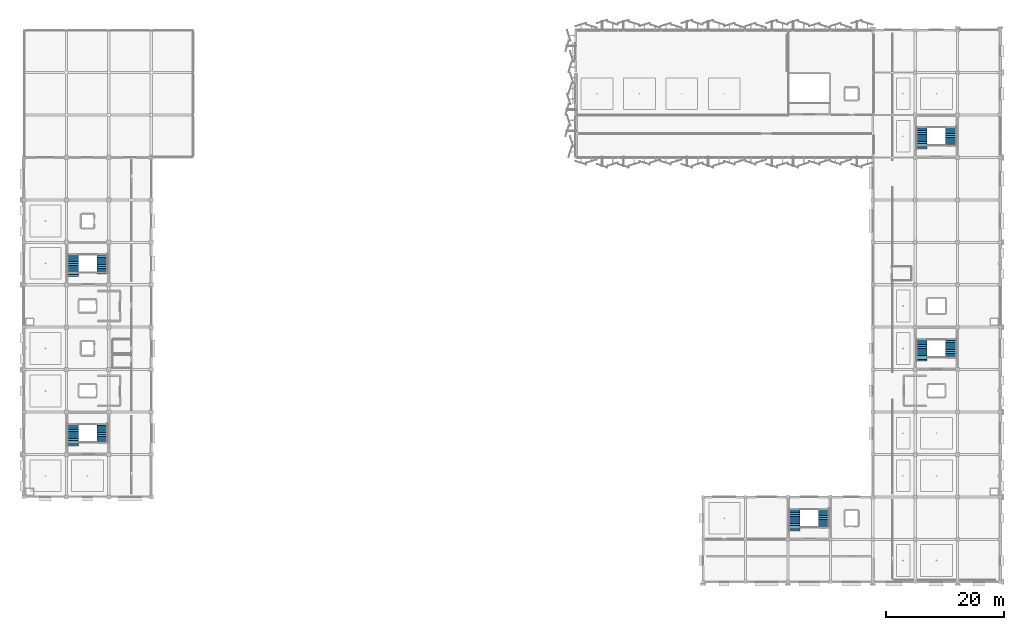
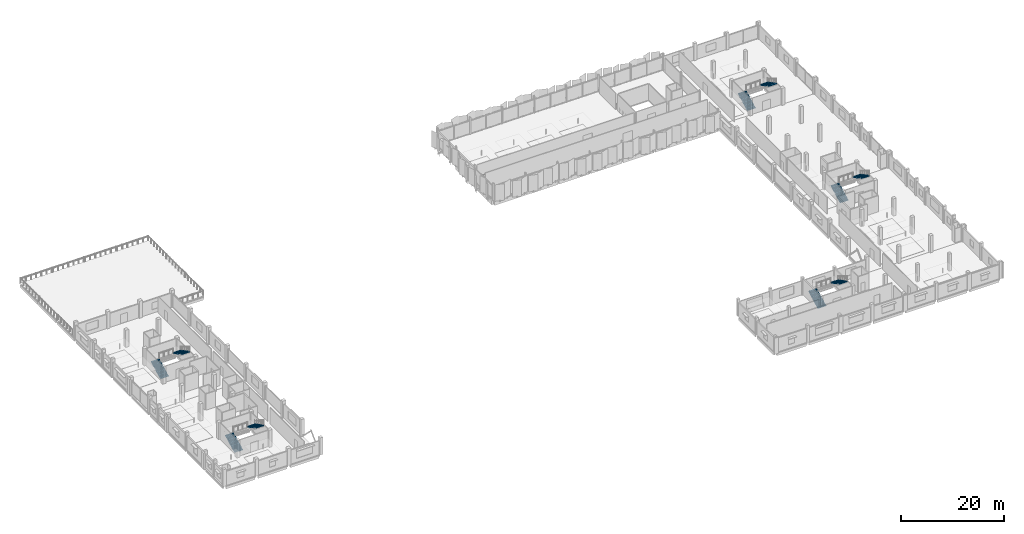
# One storey, part 60 of 77: 10 stair flights, 5 elements without a shape of their own.
"""IFC4 building model written with IfcOpenShell, lengths in metres."""

from ifc_helpers import new_model, si_unit, direction, frame, origin, place, context, subcontext, project, spatial, polyline, outline, extrude, material, type_object, element, aggregate, save


model = new_model("IFC4")

# Units and contexts
model_context = context("Model", 3, precision=1e-05, world=origin(), true_north=direction((0.0, 1.0)))
body_context = subcontext(model_context, "Body", "Model", "MODEL_VIEW")
ifc_project = project(units=[si_unit("LENGTHUNIT", "METRE"), si_unit("AREAUNIT", "SQUARE_METRE"), si_unit("VOLUMEUNIT", "CUBIC_METRE"), si_unit("PLANEANGLEUNIT", "RADIAN"), si_unit("MASSUNIT", "GRAM", prefix="KILO")], contexts=[model_context])

# Site, building, storey
site_placement = place(None, origin())
site = spatial("IfcSite", under=ifc_project, at=site_placement, CompositionType="ELEMENT")
building_placement = place(site_placement, origin())
building = spatial("IfcBuilding", under=site, at=building_placement, Name="Kangsadwip Square Police Headquarters", CompositionType="ELEMENT")
storey_placement = place(building_placement, frame((0.0, 0.0, 17.550048828125)))
storey = spatial("IfcBuildingStorey", under=building, at=storey_placement, Name="L04", CompositionType="ELEMENT", Elevation=17.550048828125)

# Stair, stair flight
ifc_material_1 = material(Name="Concrete M35 (35 MPa)", Category="concrete")
stair_type = type_object("IfcStairType", Name="Stair2FlightTypW1850", PredefinedType="HALF_TURN_STAIR", material=ifc_material_1)
stair_1_placement = place(storey_placement, origin())
stair_1 = element("IfcStair", 1, at=stair_1_placement, inside=storey, type_object=stair_type, Name="Protected Stair ST-01 L04", PredefinedType="HALF_TURN_STAIR")
ifc_material_2 = material(Name="Concrete M35 (35 MPa)", Category="concrete")
stair_flight_type_1 = type_object("IfcStairFlightType", Name="Flight12RTypW1850", PredefinedType="STRAIGHT", material=ifc_material_2)
stair_flight_1_placement = place(storey_placement, frame((13.294921875, 48.4599609375, 2.10595703125), z_axis=(0.0, 0.0, 1.0), x_axis=(0.0, -1.0, 0.0)))
stair_flight_1 = element("IfcStairFlight", 2, at=stair_flight_1_placement, type_object=stair_flight_type_1, Name="ST-01 flight 2", NumberOfRisers=12, NumberOfTreads=11, PredefinedType="STRAIGHT", RiserHeight=0.162, TreadLength=0.31, context=body_context, shape_type="SweptSolid", body=[
    extrude(outline(polyline([(0.0, 0.0), (0.0, 0.162109375), (0.31005859375, 0.162109375), (0.31005859375, 0.323974609375), (0.6201171875, 0.323974609375), (0.6201171875, 0.486083984375), (0.929931640625, 0.486083984375), (0.929931640625, 0.64794921875), (1.239990234375, 0.64794921875), (1.239990234375, 0.81005859375), (1.550048828125, 0.81005859375), (1.550048828125, 0.971923828125), (1.860107421875, 0.971923828125), (1.860107421875, 1.134033203125), (2.169921875, 1.134033203125), (2.169921875, 1.2958984375), (2.47998046875, 1.2958984375), (2.47998046875, 1.4580078125), (2.7900390625, 1.4580078125), (2.7900390625, 1.6201171875), (3.10009765625, 1.6201171875), (3.10009765625, 1.781982421875), (3.409912109375, 1.781982421875), (3.409912109375, 1.944091796875), (3.409912109375, 1.6015625), (0.34521484375, 0.0), (0.0, 0.0)])), frame((0.0, 0.925048828125, 0.0), z_axis=(0.0, -1.0, 0.0), x_axis=(1.0, 0.0, 0.0)), (0.0, 0.0, 1.0), 1.85009765625),
])

stair_2_placement = place(storey_placement, origin())
stair_2 = element("IfcStair", 3, at=stair_2_placement, inside=storey, type_object=stair_type, Name="Protected Stair ST-02 L04", PredefinedType="HALF_TURN_STAIR")
stair_flight_2_placement = place(storey_placement, frame((13.294921875, 77.260009765625, 2.10595703125), z_axis=(0.0, 0.0, 1.0), x_axis=(0.0, -1.0, 0.0)))
stair_flight_2 = element("IfcStairFlight", 4, at=stair_flight_2_placement, type_object=stair_flight_type_1, Name="ST-02 flight 2", NumberOfRisers=12, NumberOfTreads=11, PredefinedType="STRAIGHT", RiserHeight=0.162, TreadLength=0.31, context=body_context, shape_type="SweptSolid", body=[
    extrude(outline(polyline([(0.0, 0.0), (0.0, 0.162109375), (0.31005859375, 0.162109375), (0.31005859375, 0.323974609375), (0.6201171875, 0.323974609375), (0.6201171875, 0.486083984375), (0.929931640625, 0.486083984375), (0.929931640625, 0.64794921875), (1.239990234375, 0.64794921875), (1.239990234375, 0.81005859375), (1.550048828125, 0.81005859375), (1.550048828125, 0.971923828125), (1.860107421875, 0.971923828125), (1.860107421875, 1.134033203125), (2.169921875, 1.134033203125), (2.169921875, 1.2958984375), (2.47998046875, 1.2958984375), (2.47998046875, 1.4580078125), (2.7900390625, 1.4580078125), (2.7900390625, 1.6201171875), (3.10009765625, 1.6201171875), (3.10009765625, 1.781982421875), (3.409912109375, 1.781982421875), (3.409912109375, 1.944091796875), (3.409912109375, 1.6015625), (0.34521484375, 0.0), (0.0, 0.0)])), frame((0.0, 0.925048828125, 0.0), z_axis=(0.0, -1.0, 0.0), x_axis=(1.0, 0.0, 0.0)), (0.0, 0.0, 1.0), 1.85009765625),
])

stair_3_placement = place(storey_placement, origin())
stair_3 = element("IfcStair", 5, at=stair_3_placement, inside=storey, type_object=stair_type, Name="Protected Stair ST-03 L04", PredefinedType="HALF_TURN_STAIR")
stair_flight_3_placement = place(storey_placement, frame((157.294921875, 62.860107421875, 2.10595703125), z_axis=(0.0, 0.0, 1.0), x_axis=(0.0, -1.0, 0.0)))
stair_flight_3 = element("IfcStairFlight", 6, at=stair_flight_3_placement, type_object=stair_flight_type_1, Name="ST-03 flight 2", NumberOfRisers=12, NumberOfTreads=11, PredefinedType="STRAIGHT", RiserHeight=0.162, TreadLength=0.31, context=body_context, shape_type="SweptSolid", body=[
    extrude(outline(polyline([(0.0, 0.0), (0.0, 0.162109375), (0.31005859375, 0.162109375), (0.31005859375, 0.323974609375), (0.6201171875, 0.323974609375), (0.6201171875, 0.486083984375), (0.929931640625, 0.486083984375), (0.929931640625, 0.64794921875), (1.239990234375, 0.64794921875), (1.239990234375, 0.81005859375), (1.550048828125, 0.81005859375), (1.550048828125, 0.971923828125), (1.860107421875, 0.971923828125), (1.860107421875, 1.134033203125), (2.169921875, 1.134033203125), (2.169921875, 1.2958984375), (2.47998046875, 1.2958984375), (2.47998046875, 1.4580078125), (2.7900390625, 1.4580078125), (2.7900390625, 1.6201171875), (3.10009765625, 1.6201171875), (3.10009765625, 1.781982421875), (3.409912109375, 1.781982421875), (3.409912109375, 1.944091796875), (3.409912109375, 1.6015625), (0.34521484375, 0.0), (0.0, 0.0)])), frame((0.0, 0.925048828125, 0.0), z_axis=(0.0, -1.0, 0.0), x_axis=(1.0, 0.0, 0.0)), (0.0, 0.0, 1.0), 1.85009765625),
])

stair_4_placement = place(storey_placement, origin())
stair_4 = element("IfcStair", 7, at=stair_4_placement, inside=storey, type_object=stair_type, Name="Protected Stair ST-04 L04", PredefinedType="HALF_TURN_STAIR")
stair_flight_4_placement = place(storey_placement, frame((157.294921875, 98.860107421875, 2.10595703125), z_axis=(0.0, 0.0, 1.0), x_axis=(0.0, -1.0, 0.0)))
stair_flight_4 = element("IfcStairFlight", 8, at=stair_flight_4_placement, type_object=stair_flight_type_1, Name="ST-04 flight 2", NumberOfRisers=12, NumberOfTreads=11, PredefinedType="STRAIGHT", RiserHeight=0.162, TreadLength=0.31, context=body_context, shape_type="SweptSolid", body=[
    extrude(outline(polyline([(0.0, 0.0), (0.0, 0.162109375), (0.31005859375, 0.162109375), (0.31005859375, 0.323974609375), (0.6201171875, 0.323974609375), (0.6201171875, 0.486083984375), (0.929931640625, 0.486083984375), (0.929931640625, 0.64794921875), (1.239990234375, 0.64794921875), (1.239990234375, 0.81005859375), (1.550048828125, 0.81005859375), (1.550048828125, 0.971923828125), (1.860107421875, 0.971923828125), (1.860107421875, 1.134033203125), (2.169921875, 1.134033203125), (2.169921875, 1.2958984375), (2.47998046875, 1.2958984375), (2.47998046875, 1.4580078125), (2.7900390625, 1.4580078125), (2.7900390625, 1.6201171875), (3.10009765625, 1.6201171875), (3.10009765625, 1.781982421875), (3.409912109375, 1.781982421875), (3.409912109375, 1.944091796875), (3.409912109375, 1.6015625), (0.34521484375, 0.0), (0.0, 0.0)])), frame((0.0, 0.925048828125, 0.0), z_axis=(0.0, -1.0, 0.0), x_axis=(1.0, 0.0, 0.0)), (0.0, 0.0, 1.0), 1.85009765625),
])

stair_5_placement = place(storey_placement, origin())
stair_5 = element("IfcStair", 9, at=stair_5_placement, inside=storey, type_object=stair_type, Name="Protected Stair ST-06 L04", PredefinedType="HALF_TURN_STAIR")
stair_flight_5_placement = place(storey_placement, frame((135.695068359375, 34.06005859375, 2.10595703125), z_axis=(0.0, 0.0, 1.0), x_axis=(0.0, -1.0, 0.0)))
stair_flight_5 = element("IfcStairFlight", 10, at=stair_flight_5_placement, type_object=stair_flight_type_1, Name="ST-06 flight 2", NumberOfRisers=12, NumberOfTreads=11, PredefinedType="STRAIGHT", RiserHeight=0.162, TreadLength=0.31, context=body_context, shape_type="SweptSolid", body=[
    extrude(outline(polyline([(0.0, 0.0), (0.0, 0.162109375), (0.31005859375, 0.162109375), (0.31005859375, 0.323974609375), (0.6201171875, 0.323974609375), (0.6201171875, 0.486083984375), (0.929931640625, 0.486083984375), (0.929931640625, 0.64794921875), (1.239990234375, 0.64794921875), (1.239990234375, 0.81005859375), (1.550048828125, 0.81005859375), (1.550048828125, 0.971923828125), (1.860107421875, 0.971923828125), (1.860107421875, 1.134033203125), (2.169921875, 1.134033203125), (2.169921875, 1.2958984375), (2.47998046875, 1.2958984375), (2.47998046875, 1.4580078125), (2.7900390625, 1.4580078125), (2.7900390625, 1.6201171875), (3.10009765625, 1.6201171875), (3.10009765625, 1.781982421875), (3.409912109375, 1.781982421875), (3.409912109375, 1.944091796875), (3.409912109375, 1.6015625), (0.34521484375, 0.0), (0.0, 0.0)])), frame((0.0, 0.925048828125, 0.0), z_axis=(0.0, -1.0, 0.0), x_axis=(1.0, 0.0, 0.0)), (0.0, 0.0, 1.0), 1.85009765625),
])

# Stair flight
ifc_material_3 = material(Name="Concrete M35 (35 MPa)", Category="concrete")
stair_flight_type_2 = type_object("IfcStairFlightType", Name="Flight13RTypW1850", PredefinedType="STRAIGHT", material=ifc_material_3)
stair_flight_6_placement = place(storey_placement, frame((8.304931640625, 44.639892578125, 0.0), z_axis=(0.0, 0.0, 1.0), x_axis=(0.0, 1.0, 0.0)))
stair_flight_6 = element("IfcStairFlight", 11, at=stair_flight_6_placement, type_object=stair_flight_type_2, Name="ST-01 flight 1", NumberOfRisers=13, NumberOfTreads=12, PredefinedType="STRAIGHT", RiserHeight=0.162, TreadLength=0.31, context=body_context, shape_type="SweptSolid", body=[
    extrude(outline(polyline([(0.0, 0.0), (0.0, 0.162109375), (0.31005859375, 0.162109375), (0.31005859375, 0.323974609375), (0.6201171875, 0.323974609375), (0.6201171875, 0.486083984375), (0.929931640625, 0.486083984375), (0.929931640625, 0.64794921875), (1.239990234375, 0.64794921875), (1.239990234375, 0.81005859375), (1.550048828125, 0.81005859375), (1.550048828125, 0.971923828125), (1.860107421875, 0.971923828125), (1.860107421875, 1.134033203125), (2.169921875, 1.134033203125), (2.169921875, 1.2958984375), (2.47998046875, 1.2958984375), (2.47998046875, 1.4580078125), (2.7900390625, 1.4580078125), (2.7900390625, 1.6201171875), (3.10009765625, 1.6201171875), (3.10009765625, 1.781982421875), (3.409912109375, 1.781982421875), (3.409912109375, 1.944091796875), (3.719970703125, 1.944091796875), (3.719970703125, 2.10595703125), (3.719970703125, 1.763671875), (0.34521484375, 0.0), (0.0, 0.0)])), frame((0.0, 0.925048828125, 0.0), z_axis=(0.0, -1.0, 0.0), x_axis=(1.0, 0.0, 0.0)), (0.0, 0.0, 1.0), 1.85009765625),
])

aggregate(stair_1, [stair_flight_6, stair_flight_1])

stair_flight_7_placement = place(storey_placement, frame((8.304931640625, 73.43994140625, 0.0), z_axis=(0.0, 0.0, 1.0), x_axis=(0.0, 1.0, 0.0)))
stair_flight_7 = element("IfcStairFlight", 12, at=stair_flight_7_placement, type_object=stair_flight_type_2, Name="ST-02 flight 1", NumberOfRisers=13, NumberOfTreads=12, PredefinedType="STRAIGHT", RiserHeight=0.162, TreadLength=0.31, context=body_context, shape_type="SweptSolid", body=[
    extrude(outline(polyline([(0.0, 0.0), (0.0, 0.162109375), (0.31005859375, 0.162109375), (0.31005859375, 0.323974609375), (0.6201171875, 0.323974609375), (0.6201171875, 0.486083984375), (0.929931640625, 0.486083984375), (0.929931640625, 0.64794921875), (1.239990234375, 0.64794921875), (1.239990234375, 0.81005859375), (1.550048828125, 0.81005859375), (1.550048828125, 0.971923828125), (1.860107421875, 0.971923828125), (1.860107421875, 1.134033203125), (2.169921875, 1.134033203125), (2.169921875, 1.2958984375), (2.47998046875, 1.2958984375), (2.47998046875, 1.4580078125), (2.7900390625, 1.4580078125), (2.7900390625, 1.6201171875), (3.10009765625, 1.6201171875), (3.10009765625, 1.781982421875), (3.409912109375, 1.781982421875), (3.409912109375, 1.944091796875), (3.719970703125, 1.944091796875), (3.719970703125, 2.10595703125), (3.719970703125, 1.763671875), (0.34521484375, 0.0), (0.0, 0.0)])), frame((0.0, 0.925048828125, 0.0), z_axis=(0.0, -1.0, 0.0), x_axis=(1.0, 0.0, 0.0)), (0.0, 0.0, 1.0), 1.85009765625),
])

aggregate(stair_2, [stair_flight_7, stair_flight_2])

stair_flight_8_placement = place(storey_placement, frame((152.304931640625, 59.0400390625, 0.0), z_axis=(0.0, 0.0, 1.0), x_axis=(0.0, 1.0, 0.0)))
stair_flight_8 = element("IfcStairFlight", 13, at=stair_flight_8_placement, type_object=stair_flight_type_2, Name="ST-03 flight 1", NumberOfRisers=13, NumberOfTreads=12, PredefinedType="STRAIGHT", RiserHeight=0.162, TreadLength=0.31, context=body_context, shape_type="SweptSolid", body=[
    extrude(outline(polyline([(0.0, 0.0), (0.0, 0.162109375), (0.31005859375, 0.162109375), (0.31005859375, 0.323974609375), (0.6201171875, 0.323974609375), (0.6201171875, 0.486083984375), (0.929931640625, 0.486083984375), (0.929931640625, 0.64794921875), (1.239990234375, 0.64794921875), (1.239990234375, 0.81005859375), (1.550048828125, 0.81005859375), (1.550048828125, 0.971923828125), (1.860107421875, 0.971923828125), (1.860107421875, 1.134033203125), (2.169921875, 1.134033203125), (2.169921875, 1.2958984375), (2.47998046875, 1.2958984375), (2.47998046875, 1.4580078125), (2.7900390625, 1.4580078125), (2.7900390625, 1.6201171875), (3.10009765625, 1.6201171875), (3.10009765625, 1.781982421875), (3.409912109375, 1.781982421875), (3.409912109375, 1.944091796875), (3.719970703125, 1.944091796875), (3.719970703125, 2.10595703125), (3.719970703125, 1.763671875), (0.34521484375, 0.0), (0.0, 0.0)])), frame((0.0, 0.925048828125, 0.0), z_axis=(0.0, -1.0, 0.0), x_axis=(1.0, 0.0, 0.0)), (0.0, 0.0, 1.0), 1.85009765625),
])

aggregate(stair_3, [stair_flight_8, stair_flight_3])

stair_flight_9_placement = place(storey_placement, frame((152.304931640625, 95.0400390625, 0.0), z_axis=(0.0, 0.0, 1.0), x_axis=(0.0, 1.0, 0.0)))
stair_flight_9 = element("IfcStairFlight", 14, at=stair_flight_9_placement, type_object=stair_flight_type_2, Name="ST-04 flight 1", NumberOfRisers=13, NumberOfTreads=12, PredefinedType="STRAIGHT", RiserHeight=0.162, TreadLength=0.31, context=body_context, shape_type="SweptSolid", body=[
    extrude(outline(polyline([(0.0, 0.0), (0.0, 0.162109375), (0.31005859375, 0.162109375), (0.31005859375, 0.323974609375), (0.6201171875, 0.323974609375), (0.6201171875, 0.486083984375), (0.929931640625, 0.486083984375), (0.929931640625, 0.64794921875), (1.239990234375, 0.64794921875), (1.239990234375, 0.81005859375), (1.550048828125, 0.81005859375), (1.550048828125, 0.971923828125), (1.860107421875, 0.971923828125), (1.860107421875, 1.134033203125), (2.169921875, 1.134033203125), (2.169921875, 1.2958984375), (2.47998046875, 1.2958984375), (2.47998046875, 1.4580078125), (2.7900390625, 1.4580078125), (2.7900390625, 1.6201171875), (3.10009765625, 1.6201171875), (3.10009765625, 1.781982421875), (3.409912109375, 1.781982421875), (3.409912109375, 1.944091796875), (3.719970703125, 1.944091796875), (3.719970703125, 2.10595703125), (3.719970703125, 1.763671875), (0.34521484375, 0.0), (0.0, 0.0)])), frame((0.0, 0.925048828125, 0.0), z_axis=(0.0, -1.0, 0.0), x_axis=(1.0, 0.0, 0.0)), (0.0, 0.0, 1.0), 1.85009765625),
])

aggregate(stair_4, [stair_flight_9, stair_flight_4])

stair_flight_10_placement = place(storey_placement, frame((130.705078125, 30.239990234375, 0.0), z_axis=(0.0, 0.0, 1.0), x_axis=(0.0, 1.0, 0.0)))
stair_flight_10 = element("IfcStairFlight", 15, at=stair_flight_10_placement, type_object=stair_flight_type_2, Name="ST-06 flight 1", NumberOfRisers=13, NumberOfTreads=12, PredefinedType="STRAIGHT", RiserHeight=0.162, TreadLength=0.31, context=body_context, shape_type="SweptSolid", body=[
    extrude(outline(polyline([(0.0, 0.0), (0.0, 0.162109375), (0.31005859375, 0.162109375), (0.31005859375, 0.323974609375), (0.6201171875, 0.323974609375), (0.6201171875, 0.486083984375), (0.929931640625, 0.486083984375), (0.929931640625, 0.64794921875), (1.239990234375, 0.64794921875), (1.239990234375, 0.81005859375), (1.550048828125, 0.81005859375), (1.550048828125, 0.971923828125), (1.860107421875, 0.971923828125), (1.860107421875, 1.134033203125), (2.169921875, 1.134033203125), (2.169921875, 1.2958984375), (2.47998046875, 1.2958984375), (2.47998046875, 1.4580078125), (2.7900390625, 1.4580078125), (2.7900390625, 1.6201171875), (3.10009765625, 1.6201171875), (3.10009765625, 1.781982421875), (3.409912109375, 1.781982421875), (3.409912109375, 1.944091796875), (3.719970703125, 1.944091796875), (3.719970703125, 2.10595703125), (3.719970703125, 1.763671875), (0.34521484375, 0.0), (0.0, 0.0)])), frame((0.0, 0.925048828125, 0.0), z_axis=(0.0, -1.0, 0.0), x_axis=(1.0, 0.0, 0.0)), (0.0, 0.0, 1.0), 1.85009765625),
])

aggregate(stair_5, [stair_flight_10, stair_flight_5])

save(model, "model.ifc")
